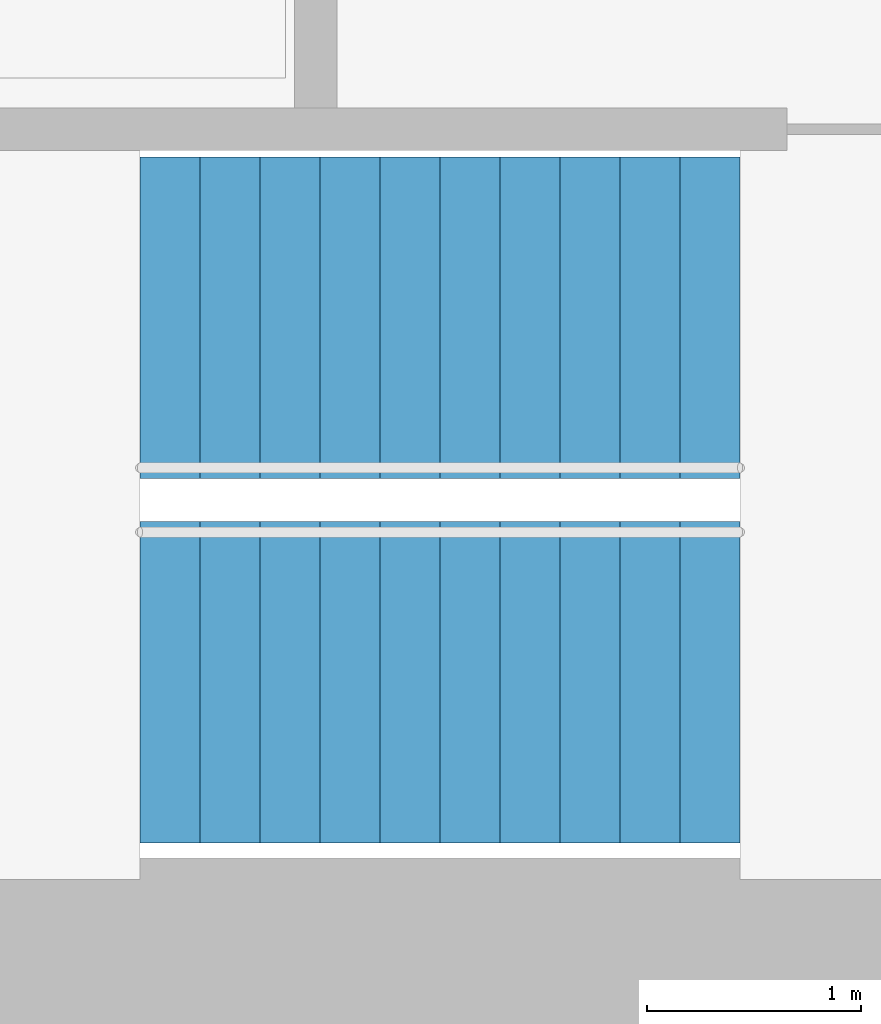
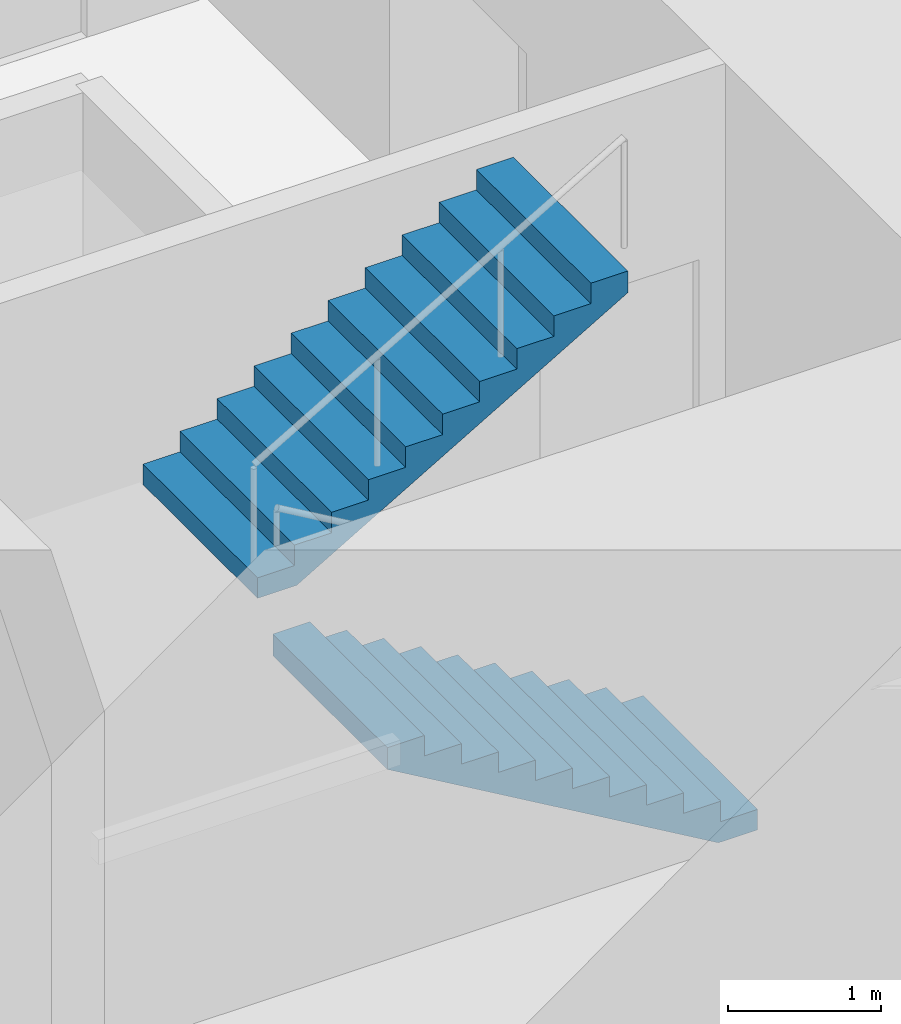
# One storey, part 14 of 15: 2 stair flights, 1 element without a shape of its own.
"""IFC4 building model written with IfcOpenShell, lengths in metres."""

from ifc_helpers import new_model, si_unit, direction, frame, origin, place, context, subcontext, project, spatial, triangles, material, type_object, element, aggregate, save


model = new_model("IFC4")

# Units and contexts
model_context = context("Model", 3, precision=1e-05, world=origin(), true_north=direction((0.0, 1.0)))
body_context = subcontext(model_context, "Body", "Model", "MODEL_VIEW")
ifc_project = project(units=[si_unit("LENGTHUNIT", "METRE"), si_unit("AREAUNIT", "SQUARE_METRE"), si_unit("VOLUMEUNIT", "CUBIC_METRE"), si_unit("PLANEANGLEUNIT", "RADIAN"), si_unit("MASSUNIT", "GRAM", prefix="KILO")], contexts=[model_context])

# Site, building, storey
site_placement = place(None, origin())
site = spatial("IfcSite", under=ifc_project, at=site_placement, CompositionType="ELEMENT")
building_placement = place(site_placement, origin())
building = spatial("IfcBuilding", under=site, at=building_placement, Name="Lantaw Convention Tower", CompositionType="ELEMENT")
storey_placement = place(building_placement, frame((0.0, 0.0, 58.60009765625)))
storey = spatial("IfcBuildingStorey", under=building, at=storey_placement, Name="L12", CompositionType="ELEMENT", Elevation=58.60009765625)

# Stair, stair flights
ifc_material = material(Name="Concrete C35/45", Category="concrete")
stair_type = type_object("IfcStairType", Name="Exit stair 1500 riser 163.64 in 2 flights", PredefinedType="HALF_TURN_STAIR", material=ifc_material)
stair_placement = place(storey_placement, origin())
stair = element("IfcStair", 1, at=stair_placement, inside=storey, type_object=stair_type, Name="Exit stair S2 L12", PredefinedType="HALF_TURN_STAIR")
stair_flight_type = type_object("IfcStairFlightType", Name="Stair flight 1500 riser 163.64", PredefinedType="STRAIGHT", material=ifc_material)
stair_flight_1_placement = place(storey_placement, frame((10.580078125, -5.97998046875, 0.0), z_axis=(0.0, 0.0, 1.0), x_axis=(-1.0, 0.0, 0.0)))
stair_flight_1 = element("IfcStairFlight", 2, at=stair_flight_1_placement, type_object=stair_flight_type, Name="S2 flight 1", NumberOfRisers=11, NumberOfTreads=10, PredefinedType="STRAIGHT", RiserHeight=0.163636364, TreadLength=0.28, context=body_context, shape_type="Tessellation", body=[
    triangles([(0.0, 0.75, 0.0), (0.0, 0.75, 0.163636364), (0.28, 0.75, 0.0), (0.28, 0.75, 0.163636364), (0.28, 0.75, 0.327272728), (0.2970904571225277, 0.75, 0.0), (0.2970904571225277, 0.75, 0.327272728), (0.56, 0.75, 0.1536484344906131), (0.56, 0.75, 0.327272728), (0.56, 0.75, 0.490909092), (0.8400000000000001, 0.75, 0.3172847984906131), (0.8400000000000001, 0.75, 0.490909092), (0.8400000000000001, 0.75, 0.654545456), (1.12, 0.75, 0.4809211624906131), (1.12, 0.75, 0.654545456), (1.12, 0.75, 0.8181818200000001), (1.4000000000000001, 0.75, 0.6445575264906132), (1.4000000000000001, 0.75, 0.8181818200000001), (1.4000000000000001, 0.75, 0.981818184), (1.6800000000000002, 0.75, 0.8081938904906131), (1.6800000000000002, 0.75, 0.981818184), (1.6800000000000002, 0.75, 1.145454548), (1.9600000000000002, 0.75, 0.9718302544906131), (1.9600000000000002, 0.75, 1.145454548), (1.9600000000000002, 0.75, 1.309090912), (2.24, 0.75, 1.135466618490613), (2.24, 0.75, 1.309090912), (2.24, 0.75, 1.472727276), (2.5200000000000005, 0.75, 1.2991029824906133), (2.5200000000000005, 0.75, 1.472727276), (2.5200000000000005, 0.75, 1.6363636400000001), (2.8000000000000003, 0.75, 1.462739346490613), (2.8000000000000003, 0.75, 1.6363636400000001), (0.0, -0.75, 0.0), (0.0, -0.75, 0.163636364), (0.28, -0.75, 0.0), (0.28, -0.75, 0.163636364), (0.28, -0.75, 0.327272728), (0.2970904571225277, -0.75, 0.0), (0.2970904571225277, -0.75, 0.327272728), (0.56, -0.75, 0.1536484344906131), (0.56, -0.75, 0.327272728), (0.56, -0.75, 0.490909092), (0.8400000000000001, -0.75, 0.3172847984906131), (0.8400000000000001, -0.75, 0.490909092), (0.8400000000000001, -0.75, 0.654545456), (1.12, -0.75, 0.4809211624906131), (1.12, -0.75, 0.654545456), (1.12, -0.75, 0.8181818200000001), (1.4000000000000001, -0.75, 0.6445575264906132), (1.4000000000000001, -0.75, 0.8181818200000001), (1.4000000000000001, -0.75, 0.981818184), (1.6800000000000002, -0.75, 0.8081938904906131), (1.6800000000000002, -0.75, 0.981818184), (1.6800000000000002, -0.75, 1.145454548), (1.9600000000000002, -0.75, 0.9718302544906131), (1.9600000000000002, -0.75, 1.145454548), (1.9600000000000002, -0.75, 1.309090912), (2.24, -0.75, 1.135466618490613), (2.24, -0.75, 1.309090912), (2.24, -0.75, 1.472727276), (2.5200000000000005, -0.75, 1.2991029824906133), (2.5200000000000005, -0.75, 1.472727276), (2.5200000000000005, -0.75, 1.6363636400000001), (2.8000000000000003, -0.75, 1.462739346490613), (2.8000000000000003, -0.75, 1.6363636400000001), (0.0, 0.15000000000000002, 0.163636364), (0.0, 0.15000000000000002, 0.0), (0.0, 0.0, 0.163636364), (0.0, 0.0, 0.0), (0.0, -0.15000000000000002, 0.163636364), (0.0, -0.15000000000000002, 0.0), (0.28, 0.15000000000000002, 0.327272728), (0.28, 0.15000000000000002, 0.163636364), (0.28, 0.0, 0.327272728), (0.28, 0.0, 0.163636364), (0.28, -0.15000000000000002, 0.327272728), (0.28, -0.15000000000000002, 0.163636364), (0.56, 0.15000000000000002, 0.490909092), (0.56, 0.15000000000000002, 0.327272728), (0.56, 0.0, 0.490909092), (0.56, 0.0, 0.327272728), (0.56, -0.15000000000000002, 0.490909092), (0.56, -0.15000000000000002, 0.327272728), (0.8400000000000001, 0.15000000000000002, 0.654545456), (0.8400000000000001, 0.15000000000000002, 0.490909092), (0.8400000000000001, 0.0, 0.654545456), (0.8400000000000001, 0.0, 0.490909092), (0.8400000000000001, -0.15000000000000002, 0.654545456), (0.8400000000000001, -0.15000000000000002, 0.490909092), (1.12, 0.15000000000000002, 0.8181818200000001), (1.12, 0.15000000000000002, 0.654545456), (1.12, 0.0, 0.8181818200000001), (1.12, 0.0, 0.654545456), (1.12, -0.15000000000000002, 0.8181818200000001), (1.12, -0.15000000000000002, 0.654545456), (1.4000000000000001, 0.15000000000000002, 0.981818184), (1.4000000000000001, 0.15000000000000002, 0.8181818200000001), (1.4000000000000001, 0.0, 0.981818184), (1.4000000000000001, 0.0, 0.8181818200000001), (1.4000000000000001, -0.15000000000000002, 0.981818184), (1.4000000000000001, -0.15000000000000002, 0.8181818200000001), (1.6800000000000002, 0.15000000000000002, 1.145454548), (1.6800000000000002, 0.15000000000000002, 0.981818184), (1.6800000000000002, 0.0, 1.145454548), (1.6800000000000002, 0.0, 0.981818184), (1.6800000000000002, -0.15000000000000002, 1.145454548), (1.6800000000000002, -0.15000000000000002, 0.981818184), (1.9600000000000002, 0.15000000000000002, 1.309090912), (1.9600000000000002, 0.15000000000000002, 1.145454548), (1.9600000000000002, 0.0, 1.309090912), (1.9600000000000002, 0.0, 1.145454548), (1.9600000000000002, -0.15000000000000002, 1.309090912), (1.9600000000000002, -0.15000000000000002, 1.145454548), (2.24, 0.15000000000000002, 1.472727276), (2.24, 0.15000000000000002, 1.309090912), (2.24, 0.0, 1.472727276), (2.24, 0.0, 1.309090912), (2.24, -0.15000000000000002, 1.472727276), (2.24, -0.15000000000000002, 1.309090912), (2.5200000000000005, 0.15000000000000002, 1.6363636400000001), (2.5200000000000005, 0.15000000000000002, 1.472727276), (2.5200000000000005, 0.0, 1.6363636400000001), (2.5200000000000005, 0.0, 1.472727276), (2.5200000000000005, -0.15000000000000002, 1.6363636400000001), (2.5200000000000005, -0.15000000000000002, 1.472727276), (0.2970904571225277, 0.15000000000000002, 0.327272728), (0.2970904571225277, 0.0, 0.327272728), (0.2970904571225277, -0.15000000000000002, 0.327272728), (2.8000000000000003, 0.15000000000000002, 1.6363636400000001), (2.8000000000000003, 0.0, 1.6363636400000001), (2.8000000000000003, -0.15000000000000002, 1.6363636400000001), (2.8000000000000003, 0.15000000000000002, 1.462739346490613), (2.8000000000000003, 0.0, 1.462739346490613), (2.8000000000000003, -0.15000000000000002, 1.462739346490613), (2.5200000000000005, 0.15000000000000002, 1.2991029824906133), (2.5200000000000005, 0.0, 1.2991029824906133), (2.5200000000000005, -0.15000000000000002, 1.2991029824906133), (2.24, 0.15000000000000002, 1.135466618490613), (2.24, 0.0, 1.135466618490613), (2.24, -0.15000000000000002, 1.135466618490613), (1.9600000000000002, 0.15000000000000002, 0.9718302544906131), (1.9600000000000002, 0.0, 0.9718302544906131), (1.9600000000000002, -0.15000000000000002, 0.9718302544906131), (1.6800000000000002, 0.15000000000000002, 0.8081938904906131), (1.6800000000000002, 0.0, 0.8081938904906131), (1.6800000000000002, -0.15000000000000002, 0.8081938904906131), (1.4000000000000001, 0.15000000000000002, 0.6445575264906132), (1.4000000000000001, 0.0, 0.6445575264906132), (1.4000000000000001, -0.15000000000000002, 0.6445575264906132), (1.12, 0.15000000000000002, 0.4809211624906131), (1.12, 0.0, 0.4809211624906131), (1.12, -0.15000000000000002, 0.4809211624906131), (0.8400000000000001, 0.15000000000000002, 0.3172847984906131), (0.8400000000000001, 0.0, 0.3172847984906131), (0.8400000000000001, -0.15000000000000002, 0.3172847984906131), (0.56, 0.15000000000000002, 0.1536484344906131), (0.56, 0.0, 0.1536484344906131), (0.56, -0.15000000000000002, 0.1536484344906131), (0.2970904571225277, 0.15000000000000002, 0.0), (0.2970904571225277, 0.0, 0.0), (0.2970904571225277, -0.15000000000000002, 0.0), (0.28, 0.15000000000000002, 0.0), (0.28, 0.0, 0.0), (0.28, -0.15000000000000002, 0.0)], [[1, 4, 3], [1, 2, 4], [3, 4, 6], [4, 7, 6], [4, 5, 7], [6, 9, 8], [6, 7, 9], [8, 9, 11], [9, 12, 11], [9, 10, 12], [11, 12, 14], [12, 15, 14], [12, 13, 15], [14, 15, 17], [15, 18, 17], [15, 16, 18], [17, 18, 20], [18, 21, 20], [18, 19, 21], [20, 21, 23], [21, 24, 23], [21, 22, 24], [23, 24, 26], [24, 27, 26], [24, 25, 27], [26, 27, 29], [27, 30, 29], [27, 28, 30], [29, 30, 32], [30, 33, 32], [30, 31, 33], [34, 36, 37], [34, 37, 35], [36, 39, 37], [37, 39, 40], [37, 40, 38], [39, 41, 42], [39, 42, 40], [41, 44, 42], [42, 44, 45], [42, 45, 43], [44, 47, 45], [45, 47, 48], [45, 48, 46], [47, 50, 48], [48, 50, 51], [48, 51, 49], [50, 53, 51], [51, 53, 54], [51, 54, 52], [53, 56, 54], [54, 56, 57], [54, 57, 55], [56, 59, 57], [57, 59, 60], [57, 60, 58], [59, 62, 60], [60, 62, 63], [60, 63, 61], [62, 65, 63], [63, 65, 66], [63, 66, 64], [1, 67, 2], [1, 68, 67], [68, 69, 67], [68, 70, 69], [70, 71, 69], [70, 72, 71], [72, 35, 71], [72, 34, 35], [4, 73, 5], [4, 74, 73], [74, 75, 73], [74, 76, 75], [76, 77, 75], [76, 78, 77], [78, 38, 77], [78, 37, 38], [9, 79, 10], [9, 80, 79], [80, 81, 79], [80, 82, 81], [82, 83, 81], [82, 84, 83], [84, 43, 83], [84, 42, 43], [12, 85, 13], [12, 86, 85], [86, 87, 85], [86, 88, 87], [88, 89, 87], [88, 90, 89], [90, 46, 89], [90, 45, 46], [15, 91, 16], [15, 92, 91], [92, 93, 91], [92, 94, 93], [94, 95, 93], [94, 96, 95], [96, 49, 95], [96, 48, 49], [18, 97, 19], [18, 98, 97], [98, 99, 97], [98, 100, 99], [100, 101, 99], [100, 102, 101], [102, 52, 101], [102, 51, 52], [21, 103, 22], [21, 104, 103], [104, 105, 103], [104, 106, 105], [106, 107, 105], [106, 108, 107], [108, 55, 107], [108, 54, 55], [24, 109, 25], [24, 110, 109], [110, 111, 109], [110, 112, 111], [112, 113, 111], [112, 114, 113], [114, 58, 113], [114, 57, 58], [27, 115, 28], [27, 116, 115], [116, 117, 115], [116, 118, 117], [118, 119, 117], [118, 120, 119], [120, 61, 119], [120, 60, 61], [30, 121, 31], [30, 122, 121], [122, 123, 121], [122, 124, 123], [124, 125, 123], [124, 126, 125], [126, 64, 125], [126, 63, 64], [2, 74, 4], [2, 67, 74], [67, 76, 74], [67, 69, 76], [69, 78, 76], [69, 71, 78], [71, 37, 78], [71, 35, 37], [5, 127, 7], [5, 73, 127], [73, 128, 127], [73, 75, 128], [75, 129, 128], [75, 77, 129], [77, 40, 129], [77, 38, 40], [7, 80, 9], [7, 127, 80], [127, 82, 80], [127, 128, 82], [128, 84, 82], [128, 129, 84], [129, 42, 84], [129, 40, 42], [10, 86, 12], [10, 79, 86], [79, 88, 86], [79, 81, 88], [81, 90, 88], [81, 83, 90], [83, 45, 90], [83, 43, 45], [13, 92, 15], [13, 85, 92], [85, 94, 92], [85, 87, 94], [87, 96, 94], [87, 89, 96], [89, 48, 96], [89, 46, 48], [16, 98, 18], [16, 91, 98], [91, 100, 98], [91, 93, 100], [93, 102, 100], [93, 95, 102], [95, 51, 102], [95, 49, 51], [19, 104, 21], [19, 97, 104], [97, 106, 104], [97, 99, 106], [99, 108, 106], [99, 101, 108], [101, 54, 108], [101, 52, 54], [22, 110, 24], [22, 103, 110], [103, 112, 110], [103, 105, 112], [105, 114, 112], [105, 107, 114], [107, 57, 114], [107, 55, 57], [25, 116, 27], [25, 109, 116], [109, 118, 116], [109, 111, 118], [111, 120, 118], [111, 113, 120], [113, 60, 120], [113, 58, 60], [28, 122, 30], [28, 115, 122], [115, 124, 122], [115, 117, 124], [117, 126, 124], [117, 119, 126], [119, 63, 126], [119, 61, 63], [31, 130, 33], [31, 121, 130], [121, 131, 130], [121, 123, 131], [123, 132, 131], [123, 125, 132], [125, 66, 132], [125, 64, 66], [33, 133, 32], [33, 130, 133], [130, 134, 133], [130, 131, 134], [131, 135, 134], [131, 132, 135], [132, 65, 135], [132, 66, 65], [32, 136, 29], [32, 133, 136], [133, 137, 136], [133, 134, 137], [134, 138, 137], [134, 135, 138], [135, 62, 138], [135, 65, 62], [29, 139, 26], [29, 136, 139], [136, 140, 139], [136, 137, 140], [137, 141, 140], [137, 138, 141], [138, 59, 141], [138, 62, 59], [26, 142, 23], [26, 139, 142], [139, 143, 142], [139, 140, 143], [140, 144, 143], [140, 141, 144], [141, 56, 144], [141, 59, 56], [23, 145, 20], [23, 142, 145], [142, 146, 145], [142, 143, 146], [143, 147, 146], [143, 144, 147], [144, 53, 147], [144, 56, 53], [20, 148, 17], [20, 145, 148], [145, 149, 148], [145, 146, 149], [146, 150, 149], [146, 147, 150], [147, 50, 150], [147, 53, 50], [17, 151, 14], [17, 148, 151], [148, 152, 151], [148, 149, 152], [149, 153, 152], [149, 150, 153], [150, 47, 153], [150, 50, 47], [14, 154, 11], [14, 151, 154], [151, 155, 154], [151, 152, 155], [152, 156, 155], [152, 153, 156], [153, 44, 156], [153, 47, 44], [11, 157, 8], [11, 154, 157], [154, 158, 157], [154, 155, 158], [155, 159, 158], [155, 156, 159], [156, 41, 159], [156, 44, 41], [8, 160, 6], [8, 157, 160], [157, 161, 160], [157, 158, 161], [158, 162, 161], [158, 159, 162], [159, 39, 162], [159, 41, 39], [6, 163, 3], [6, 160, 163], [160, 164, 163], [160, 161, 164], [161, 165, 164], [161, 162, 165], [162, 36, 165], [162, 39, 36], [3, 68, 1], [3, 163, 68], [163, 70, 68], [163, 164, 70], [164, 72, 70], [164, 165, 72], [165, 34, 72], [165, 36, 34]], closed=True),
])
stair_flight_2_placement = place(storey_placement, frame((7.780029296875, -4.280029296875, 1.7998046875), z_axis=(0.0, 0.0, 1.0), x_axis=(1.0, 0.0, 0.0)))
stair_flight_2 = element("IfcStairFlight", 3, at=stair_flight_2_placement, type_object=stair_flight_type, Name="S2 flight 2", NumberOfRisers=11, NumberOfTreads=10, PredefinedType="STRAIGHT", RiserHeight=0.163636364, TreadLength=0.28, context=body_context, shape_type="Tessellation", body=[
    triangles([(0.0, 0.75, 0.0), (0.0, 0.75, 0.163636364), (0.28, 0.75, 0.0), (0.28, 0.75, 0.163636364), (0.28, 0.75, 0.327272728), (0.2970904571225277, 0.75, 0.0), (0.2970904571225277, 0.75, 0.327272728), (0.56, 0.75, 0.1536484344906131), (0.56, 0.75, 0.327272728), (0.56, 0.75, 0.490909092), (0.8400000000000001, 0.75, 0.3172847984906131), (0.8400000000000001, 0.75, 0.490909092), (0.8400000000000001, 0.75, 0.654545456), (1.12, 0.75, 0.4809211624906131), (1.12, 0.75, 0.654545456), (1.12, 0.75, 0.8181818200000001), (1.4000000000000001, 0.75, 0.6445575264906132), (1.4000000000000001, 0.75, 0.8181818200000001), (1.4000000000000001, 0.75, 0.981818184), (1.6800000000000002, 0.75, 0.8081938904906131), (1.6800000000000002, 0.75, 0.981818184), (1.6800000000000002, 0.75, 1.145454548), (1.9600000000000002, 0.75, 0.9718302544906131), (1.9600000000000002, 0.75, 1.145454548), (1.9600000000000002, 0.75, 1.309090912), (2.24, 0.75, 1.135466618490613), (2.24, 0.75, 1.309090912), (2.24, 0.75, 1.472727276), (2.5200000000000005, 0.75, 1.2991029824906133), (2.5200000000000005, 0.75, 1.472727276), (2.5200000000000005, 0.75, 1.6363636400000001), (2.8000000000000003, 0.75, 1.462739346490613), (2.8000000000000003, 0.75, 1.6363636400000001), (0.0, -0.75, 0.0), (0.0, -0.75, 0.163636364), (0.28, -0.75, 0.0), (0.28, -0.75, 0.163636364), (0.28, -0.75, 0.327272728), (0.2970904571225277, -0.75, 0.0), (0.2970904571225277, -0.75, 0.327272728), (0.56, -0.75, 0.1536484344906131), (0.56, -0.75, 0.327272728), (0.56, -0.75, 0.490909092), (0.8400000000000001, -0.75, 0.3172847984906131), (0.8400000000000001, -0.75, 0.490909092), (0.8400000000000001, -0.75, 0.654545456), (1.12, -0.75, 0.4809211624906131), (1.12, -0.75, 0.654545456), (1.12, -0.75, 0.8181818200000001), (1.4000000000000001, -0.75, 0.6445575264906132), (1.4000000000000001, -0.75, 0.8181818200000001), (1.4000000000000001, -0.75, 0.981818184), (1.6800000000000002, -0.75, 0.8081938904906131), (1.6800000000000002, -0.75, 0.981818184), (1.6800000000000002, -0.75, 1.145454548), (1.9600000000000002, -0.75, 0.9718302544906131), (1.9600000000000002, -0.75, 1.145454548), (1.9600000000000002, -0.75, 1.309090912), (2.24, -0.75, 1.135466618490613), (2.24, -0.75, 1.309090912), (2.24, -0.75, 1.472727276), (2.5200000000000005, -0.75, 1.2991029824906133), (2.5200000000000005, -0.75, 1.472727276), (2.5200000000000005, -0.75, 1.6363636400000001), (2.8000000000000003, -0.75, 1.462739346490613), (2.8000000000000003, -0.75, 1.6363636400000001), (0.0, 0.15000000000000002, 0.163636364), (0.0, 0.15000000000000002, 0.0), (0.0, 0.0, 0.163636364), (0.0, 0.0, 0.0), (0.0, -0.15000000000000002, 0.163636364), (0.0, -0.15000000000000002, 0.0), (0.28, 0.15000000000000002, 0.327272728), (0.28, 0.15000000000000002, 0.163636364), (0.28, 0.0, 0.327272728), (0.28, 0.0, 0.163636364), (0.28, -0.15000000000000002, 0.327272728), (0.28, -0.15000000000000002, 0.163636364), (0.56, 0.15000000000000002, 0.490909092), (0.56, 0.15000000000000002, 0.327272728), (0.56, 0.0, 0.490909092), (0.56, 0.0, 0.327272728), (0.56, -0.15000000000000002, 0.490909092), (0.56, -0.15000000000000002, 0.327272728), (0.8400000000000001, 0.15000000000000002, 0.654545456), (0.8400000000000001, 0.15000000000000002, 0.490909092), (0.8400000000000001, 0.0, 0.654545456), (0.8400000000000001, 0.0, 0.490909092), (0.8400000000000001, -0.15000000000000002, 0.654545456), (0.8400000000000001, -0.15000000000000002, 0.490909092), (1.12, 0.15000000000000002, 0.8181818200000001), (1.12, 0.15000000000000002, 0.654545456), (1.12, 0.0, 0.8181818200000001), (1.12, 0.0, 0.654545456), (1.12, -0.15000000000000002, 0.8181818200000001), (1.12, -0.15000000000000002, 0.654545456), (1.4000000000000001, 0.15000000000000002, 0.981818184), (1.4000000000000001, 0.15000000000000002, 0.8181818200000001), (1.4000000000000001, 0.0, 0.981818184), (1.4000000000000001, 0.0, 0.8181818200000001), (1.4000000000000001, -0.15000000000000002, 0.981818184), (1.4000000000000001, -0.15000000000000002, 0.8181818200000001), (1.6800000000000002, 0.15000000000000002, 1.145454548), (1.6800000000000002, 0.15000000000000002, 0.981818184), (1.6800000000000002, 0.0, 1.145454548), (1.6800000000000002, 0.0, 0.981818184), (1.6800000000000002, -0.15000000000000002, 1.145454548), (1.6800000000000002, -0.15000000000000002, 0.981818184), (1.9600000000000002, 0.15000000000000002, 1.309090912), (1.9600000000000002, 0.15000000000000002, 1.145454548), (1.9600000000000002, 0.0, 1.309090912), (1.9600000000000002, 0.0, 1.145454548), (1.9600000000000002, -0.15000000000000002, 1.309090912), (1.9600000000000002, -0.15000000000000002, 1.145454548), (2.24, 0.15000000000000002, 1.472727276), (2.24, 0.15000000000000002, 1.309090912), (2.24, 0.0, 1.472727276), (2.24, 0.0, 1.309090912), (2.24, -0.15000000000000002, 1.472727276), (2.24, -0.15000000000000002, 1.309090912), (2.5200000000000005, 0.15000000000000002, 1.6363636400000001), (2.5200000000000005, 0.15000000000000002, 1.472727276), (2.5200000000000005, 0.0, 1.6363636400000001), (2.5200000000000005, 0.0, 1.472727276), (2.5200000000000005, -0.15000000000000002, 1.6363636400000001), (2.5200000000000005, -0.15000000000000002, 1.472727276), (0.2970904571225277, 0.15000000000000002, 0.327272728), (0.2970904571225277, 0.0, 0.327272728), (0.2970904571225277, -0.15000000000000002, 0.327272728), (2.8000000000000003, 0.15000000000000002, 1.6363636400000001), (2.8000000000000003, 0.0, 1.6363636400000001), (2.8000000000000003, -0.15000000000000002, 1.6363636400000001), (2.8000000000000003, 0.15000000000000002, 1.462739346490613), (2.8000000000000003, 0.0, 1.462739346490613), (2.8000000000000003, -0.15000000000000002, 1.462739346490613), (2.5200000000000005, 0.15000000000000002, 1.2991029824906133), (2.5200000000000005, 0.0, 1.2991029824906133), (2.5200000000000005, -0.15000000000000002, 1.2991029824906133), (2.24, 0.15000000000000002, 1.135466618490613), (2.24, 0.0, 1.135466618490613), (2.24, -0.15000000000000002, 1.135466618490613), (1.9600000000000002, 0.15000000000000002, 0.9718302544906131), (1.9600000000000002, 0.0, 0.9718302544906131), (1.9600000000000002, -0.15000000000000002, 0.9718302544906131), (1.6800000000000002, 0.15000000000000002, 0.8081938904906131), (1.6800000000000002, 0.0, 0.8081938904906131), (1.6800000000000002, -0.15000000000000002, 0.8081938904906131), (1.4000000000000001, 0.15000000000000002, 0.6445575264906132), (1.4000000000000001, 0.0, 0.6445575264906132), (1.4000000000000001, -0.15000000000000002, 0.6445575264906132), (1.12, 0.15000000000000002, 0.4809211624906131), (1.12, 0.0, 0.4809211624906131), (1.12, -0.15000000000000002, 0.4809211624906131), (0.8400000000000001, 0.15000000000000002, 0.3172847984906131), (0.8400000000000001, 0.0, 0.3172847984906131), (0.8400000000000001, -0.15000000000000002, 0.3172847984906131), (0.56, 0.15000000000000002, 0.1536484344906131), (0.56, 0.0, 0.1536484344906131), (0.56, -0.15000000000000002, 0.1536484344906131), (0.2970904571225277, 0.15000000000000002, 0.0), (0.2970904571225277, 0.0, 0.0), (0.2970904571225277, -0.15000000000000002, 0.0), (0.28, 0.15000000000000002, 0.0), (0.28, 0.0, 0.0), (0.28, -0.15000000000000002, 0.0)], [[1, 4, 3], [1, 2, 4], [3, 4, 6], [4, 7, 6], [4, 5, 7], [6, 9, 8], [6, 7, 9], [8, 9, 11], [9, 12, 11], [9, 10, 12], [11, 12, 14], [12, 15, 14], [12, 13, 15], [14, 15, 17], [15, 18, 17], [15, 16, 18], [17, 18, 20], [18, 21, 20], [18, 19, 21], [20, 21, 23], [21, 24, 23], [21, 22, 24], [23, 24, 26], [24, 27, 26], [24, 25, 27], [26, 27, 29], [27, 30, 29], [27, 28, 30], [29, 30, 32], [30, 33, 32], [30, 31, 33], [34, 36, 37], [34, 37, 35], [36, 39, 37], [37, 39, 40], [37, 40, 38], [39, 41, 42], [39, 42, 40], [41, 44, 42], [42, 44, 45], [42, 45, 43], [44, 47, 45], [45, 47, 48], [45, 48, 46], [47, 50, 48], [48, 50, 51], [48, 51, 49], [50, 53, 51], [51, 53, 54], [51, 54, 52], [53, 56, 54], [54, 56, 57], [54, 57, 55], [56, 59, 57], [57, 59, 60], [57, 60, 58], [59, 62, 60], [60, 62, 63], [60, 63, 61], [62, 65, 63], [63, 65, 66], [63, 66, 64], [1, 67, 2], [1, 68, 67], [68, 69, 67], [68, 70, 69], [70, 71, 69], [70, 72, 71], [72, 35, 71], [72, 34, 35], [4, 73, 5], [4, 74, 73], [74, 75, 73], [74, 76, 75], [76, 77, 75], [76, 78, 77], [78, 38, 77], [78, 37, 38], [9, 79, 10], [9, 80, 79], [80, 81, 79], [80, 82, 81], [82, 83, 81], [82, 84, 83], [84, 43, 83], [84, 42, 43], [12, 85, 13], [12, 86, 85], [86, 87, 85], [86, 88, 87], [88, 89, 87], [88, 90, 89], [90, 46, 89], [90, 45, 46], [15, 91, 16], [15, 92, 91], [92, 93, 91], [92, 94, 93], [94, 95, 93], [94, 96, 95], [96, 49, 95], [96, 48, 49], [18, 97, 19], [18, 98, 97], [98, 99, 97], [98, 100, 99], [100, 101, 99], [100, 102, 101], [102, 52, 101], [102, 51, 52], [21, 103, 22], [21, 104, 103], [104, 105, 103], [104, 106, 105], [106, 107, 105], [106, 108, 107], [108, 55, 107], [108, 54, 55], [24, 109, 25], [24, 110, 109], [110, 111, 109], [110, 112, 111], [112, 113, 111], [112, 114, 113], [114, 58, 113], [114, 57, 58], [27, 115, 28], [27, 116, 115], [116, 117, 115], [116, 118, 117], [118, 119, 117], [118, 120, 119], [120, 61, 119], [120, 60, 61], [30, 121, 31], [30, 122, 121], [122, 123, 121], [122, 124, 123], [124, 125, 123], [124, 126, 125], [126, 64, 125], [126, 63, 64], [2, 74, 4], [2, 67, 74], [67, 76, 74], [67, 69, 76], [69, 78, 76], [69, 71, 78], [71, 37, 78], [71, 35, 37], [5, 127, 7], [5, 73, 127], [73, 128, 127], [73, 75, 128], [75, 129, 128], [75, 77, 129], [77, 40, 129], [77, 38, 40], [7, 80, 9], [7, 127, 80], [127, 82, 80], [127, 128, 82], [128, 84, 82], [128, 129, 84], [129, 42, 84], [129, 40, 42], [10, 86, 12], [10, 79, 86], [79, 88, 86], [79, 81, 88], [81, 90, 88], [81, 83, 90], [83, 45, 90], [83, 43, 45], [13, 92, 15], [13, 85, 92], [85, 94, 92], [85, 87, 94], [87, 96, 94], [87, 89, 96], [89, 48, 96], [89, 46, 48], [16, 98, 18], [16, 91, 98], [91, 100, 98], [91, 93, 100], [93, 102, 100], [93, 95, 102], [95, 51, 102], [95, 49, 51], [19, 104, 21], [19, 97, 104], [97, 106, 104], [97, 99, 106], [99, 108, 106], [99, 101, 108], [101, 54, 108], [101, 52, 54], [22, 110, 24], [22, 103, 110], [103, 112, 110], [103, 105, 112], [105, 114, 112], [105, 107, 114], [107, 57, 114], [107, 55, 57], [25, 116, 27], [25, 109, 116], [109, 118, 116], [109, 111, 118], [111, 120, 118], [111, 113, 120], [113, 60, 120], [113, 58, 60], [28, 122, 30], [28, 115, 122], [115, 124, 122], [115, 117, 124], [117, 126, 124], [117, 119, 126], [119, 63, 126], [119, 61, 63], [31, 130, 33], [31, 121, 130], [121, 131, 130], [121, 123, 131], [123, 132, 131], [123, 125, 132], [125, 66, 132], [125, 64, 66], [33, 133, 32], [33, 130, 133], [130, 134, 133], [130, 131, 134], [131, 135, 134], [131, 132, 135], [132, 65, 135], [132, 66, 65], [32, 136, 29], [32, 133, 136], [133, 137, 136], [133, 134, 137], [134, 138, 137], [134, 135, 138], [135, 62, 138], [135, 65, 62], [29, 139, 26], [29, 136, 139], [136, 140, 139], [136, 137, 140], [137, 141, 140], [137, 138, 141], [138, 59, 141], [138, 62, 59], [26, 142, 23], [26, 139, 142], [139, 143, 142], [139, 140, 143], [140, 144, 143], [140, 141, 144], [141, 56, 144], [141, 59, 56], [23, 145, 20], [23, 142, 145], [142, 146, 145], [142, 143, 146], [143, 147, 146], [143, 144, 147], [144, 53, 147], [144, 56, 53], [20, 148, 17], [20, 145, 148], [145, 149, 148], [145, 146, 149], [146, 150, 149], [146, 147, 150], [147, 50, 150], [147, 53, 50], [17, 151, 14], [17, 148, 151], [148, 152, 151], [148, 149, 152], [149, 153, 152], [149, 150, 153], [150, 47, 153], [150, 50, 47], [14, 154, 11], [14, 151, 154], [151, 155, 154], [151, 152, 155], [152, 156, 155], [152, 153, 156], [153, 44, 156], [153, 47, 44], [11, 157, 8], [11, 154, 157], [154, 158, 157], [154, 155, 158], [155, 159, 158], [155, 156, 159], [156, 41, 159], [156, 44, 41], [8, 160, 6], [8, 157, 160], [157, 161, 160], [157, 158, 161], [158, 162, 161], [158, 159, 162], [159, 39, 162], [159, 41, 39], [6, 163, 3], [6, 160, 163], [160, 164, 163], [160, 161, 164], [161, 165, 164], [161, 162, 165], [162, 36, 165], [162, 39, 36], [3, 68, 1], [3, 163, 68], [163, 70, 68], [163, 164, 70], [164, 72, 70], [164, 165, 72], [165, 34, 72], [165, 36, 34]], closed=True),
])
aggregate(stair, [stair_flight_1, stair_flight_2])

save(model, "model.ifc")
